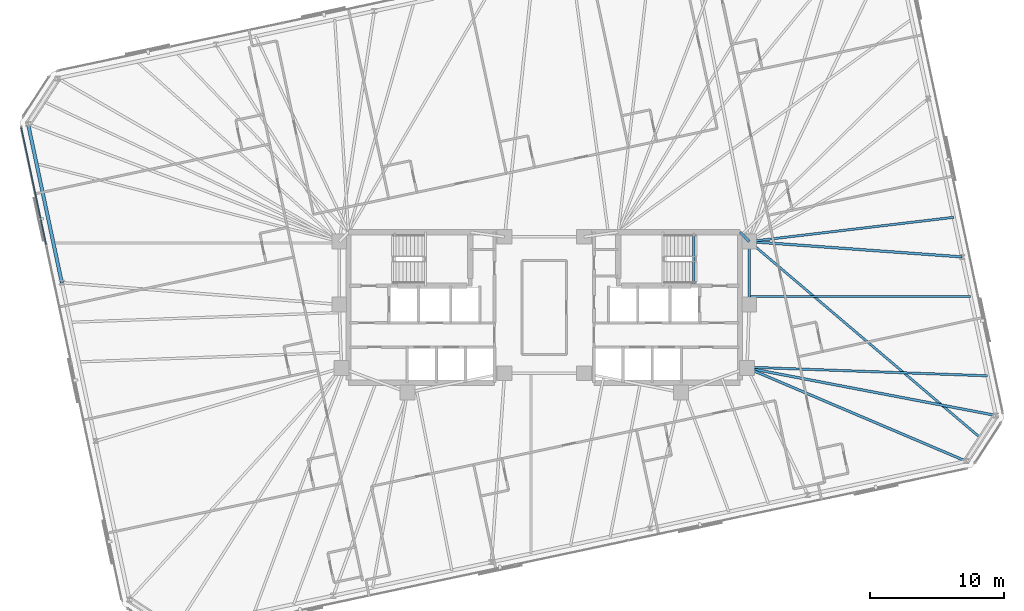
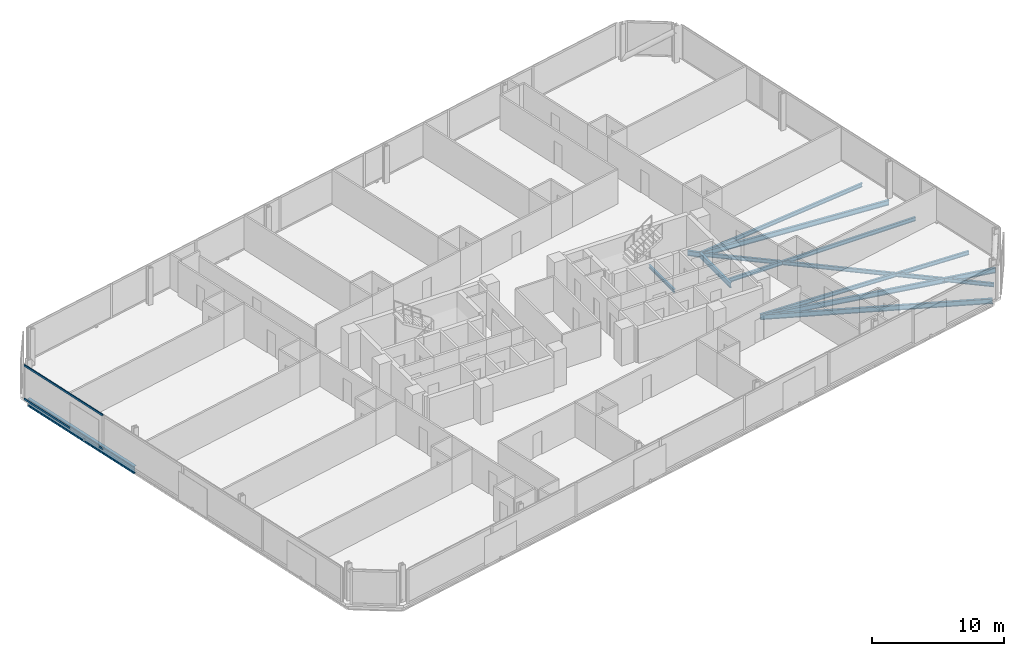
# One storey, part 8 of 19: 11 beams, 2 members, 1 element without a shape of its own.
"""IFC4 building model written with IfcOpenShell, lengths in metres."""

from ifc_helpers import new_model, si_unit, direction, frame, origin, origin_2d, place, context, subcontext, project, spatial, rectangle, i_section, extrude, material, material_profile, profile_set, type_object, element, aggregate, save


model = new_model("IFC4")

# Units and contexts
model_context = context("Model", 3, precision=1e-05, world=origin(), true_north=direction((0.0, 1.0)))
body_context = subcontext(model_context, "Body", "Model", "MODEL_VIEW")
ifc_project = project(units=[si_unit("LENGTHUNIT", "METRE"), si_unit("AREAUNIT", "SQUARE_METRE"), si_unit("VOLUMEUNIT", "CUBIC_METRE"), si_unit("PLANEANGLEUNIT", "RADIAN"), si_unit("MASSUNIT", "GRAM", prefix="KILO")], contexts=[model_context])

# Site, building, storey
site_placement = place(None, origin())
site = spatial("IfcSite", under=ifc_project, at=site_placement, CompositionType="ELEMENT")
building_placement = place(site_placement, origin())
building = spatial("IfcBuilding", under=site, at=building_placement, Name="Menara Jurai Vektor", CompositionType="ELEMENT")
storey_placement = place(building_placement, frame((0.0, 0.0, 182.0)))
storey = spatial("IfcBuildingStorey", under=building, at=storey_placement, Name="L47", CompositionType="ELEMENT", Elevation=182.0)

# Curtain wall, members
ifc_material_1 = material(Name="Anodised Pale Aluminium & Low-E Double Glazing", Category="aluminium")
curtain_wall_type = type_object("IfcCurtainWallType", Name="CW-BLK3", PredefinedType="NOTDEFINED", material=ifc_material_1)
curtain_wall_placement = place(storey_placement, origin())
curtain_wall = element("IfcCurtainWall", 1, at=curtain_wall_placement, inside=storey, type_object=curtain_wall_type, Name="Unitised Curtain Wall L47 F07", PredefinedType="NOTDEFINED")
ifc_material_2 = material(Name="Anodised Pale Aluminium Transom", Category="aluminium")
ifc_material_profile_1 = material_profile(ifc_material_2, rectangle(XDim=0.0849609375, YDim=0.175048828125, at=origin_2d()), Name="ALU TRN 85x175")
ifc_profile_set_1 = profile_set([ifc_material_profile_1], Name="Anodised Pale Aluminium Transom")
member_type = type_object("IfcMemberType", Name="CW-BLK3-TRN", PredefinedType="USERDEFINED", material=ifc_profile_set_1)
member_1_placement = place(storey_placement, frame((-38.896728515625, 13.378173828125, 0.04248046875), z_axis=(0.207899517354, -0.978150188204, 0.0), x_axis=(0.978150188204, 0.207899517354, 0.0)))
member_1 = element("IfcMember", 2, at=member_1_placement, type_object=member_type, Name="CW-03 transom 1.1", ObjectType="TRANSOM", PredefinedType="USERDEFINED", context=body_context, shape_type="SweptSolid", body=[
    extrude(rectangle(XDim=0.0849609375, YDim=0.175048828125, at=origin_2d()), origin(), (0.0, 0.0, 1.0), 8.882568359375),
])
member_2_placement = place(storey_placement, frame((-38.896728515625, 13.378173828125, 3.132568359375), z_axis=(0.207899517354, -0.978150188204, 0.0), x_axis=(0.978150188204, 0.207899517354, 0.0)))
member_2 = element("IfcMember", 3, at=member_2_placement, type_object=member_type, Name="CW-03 transom 1.2", ObjectType="TRANSOM", PredefinedType="USERDEFINED", context=body_context, shape_type="SweptSolid", body=[
    extrude(rectangle(XDim=0.0849609375, YDim=0.175048828125, at=origin_2d()), origin(), (0.0, 0.0, 1.0), 8.882568359375),
])
aggregate(curtain_wall, [member_1, member_2])

# Beams
ifc_material_3 = material(Name="Steel S355", Category="steel")
ifc_material_profile_2 = material_profile(ifc_material_3, i_section(OverallWidth=0.19091796875, OverallDepth=0.4599609375, WebThickness=0.010009765625, FlangeThickness=0.01611328125, FilletRadius=0.010009765625, at=origin_2d()), Name="UKB 457x191x82")
ifc_profile_set_2 = profile_set([ifc_material_profile_2], Name="Steel S355")
beam_type_1 = type_object("IfcBeamType", Name="STR-BM-457", PredefinedType="BEAM", material=ifc_profile_set_2)
beam_1_placement = place(storey_placement, frame((14.56005859375, 5.60009765625, -0.455078125), z_axis=(0.701871936926, -0.712303154672, 0.0), x_axis=(0.712303154672, 0.701871936926, 0.0)))
element("IfcBeam", 4, at=beam_1_placement, inside=storey, type_object=beam_type_1, Name="Core Ring Header Girder L47-CHE-N2", PredefinedType="BEAM", context=body_context, shape_type="SweptSolid", body=[
    extrude(i_section(OverallWidth=0.19091796875, OverallDepth=0.4599609375, WebThickness=0.010009765625, FlangeThickness=0.01611328125, FilletRadius=0.010009765625, at=origin_2d()), origin(), (0.0, 0.0, 1.0), 0.98291015625),
])
beam_2_placement = place(storey_placement, frame((15.25, 0.219970703125, -0.455078125), z_axis=(0.0, 1.0, 0.0), x_axis=(-1.0, 0.0, 0.0)))
element("IfcBeam", 5, at=beam_2_placement, inside=storey, type_object=beam_type_1, Name="Core Ring Header Girder L47-CHE-E1", PredefinedType="BEAM", context=body_context, shape_type="SweptSolid", body=[
    extrude(i_section(OverallWidth=0.19091796875, OverallDepth=0.4599609375, WebThickness=0.010009765625, FlangeThickness=0.01611328125, FilletRadius=0.010009765625, at=origin_2d()), origin(), (0.0, 0.0, 1.0), 4.679931640625),
])
beam_3_placement = place(storey_placement, frame((31.376220703125, -11.438720703125, -0.455078125), z_axis=(-0.920069342045, 0.391755543458, 0.0), x_axis=(-0.391755543458, -0.920069342045, 0.0)))
element("IfcBeam", 6, at=beam_3_placement, inside=storey, type_object=beam_type_1, Name="Radial Floor Girder L47-S6", PredefinedType="BEAM", context=body_context, shape_type="SweptSolid", body=[
    extrude(i_section(OverallWidth=0.19091796875, OverallDepth=0.4599609375, WebThickness=0.010009765625, FlangeThickness=0.01611328125, FilletRadius=0.010009765625, at=origin_2d()), origin(), (0.0, 0.0, 1.0), 17.7119140625),
])
beam_4_placement = place(storey_placement, frame((33.588623046875, -8.031982421875, -0.455078125), z_axis=(-0.982274660407, 0.187447303322, 0.0), x_axis=(-0.187447303322, -0.982274660407, 0.0)))
element("IfcBeam", 7, at=beam_4_placement, inside=storey, type_object=beam_type_1, Name="Radial Floor Girder L47-E1", PredefinedType="BEAM", context=body_context, shape_type="SweptSolid", body=[
    extrude(i_section(OverallWidth=0.19091796875, OverallDepth=0.4599609375, WebThickness=0.010009765625, FlangeThickness=0.01611328125, FilletRadius=0.010009765625, at=origin_2d()), origin(), (0.0, 0.0, 1.0), 18.842529296875),
])
beam_5_placement = place(storey_placement, frame((31.082763671875, 3.75634765625, -0.455078125), z_axis=(-0.997401783921, 0.072039443584, 0.0), x_axis=(-0.072039443584, -0.997401783921, 0.0)))
element("IfcBeam", 8, at=beam_5_placement, inside=storey, type_object=beam_type_1, Name="Radial Floor Girder L47-E2", PredefinedType="BEAM", context=body_context, shape_type="SweptSolid", body=[
    extrude(i_section(OverallWidth=0.19091796875, OverallDepth=0.4599609375, WebThickness=0.010009765625, FlangeThickness=0.01611328125, FilletRadius=0.010009765625, at=origin_2d()), origin(), (0.0, 0.0, 1.0), 15.8740234375),
])
ifc_material_profile_3 = material_profile(ifc_material_3, i_section(OverallWidth=0.172119140625, OverallDepth=0.35498046875, WebThickness=0.007080078125, FlangeThickness=0.011962890625, FilletRadius=0.010009765625, at=origin_2d()), Name="UKB 356x171x51")
ifc_profile_set_3 = profile_set([ifc_material_profile_3], Name="Steel S355")
beam_type_2 = type_object("IfcBeamType", Name="STR-JS-356", PredefinedType="JOIST", material=ifc_profile_set_3)
beam_6_placement = place(storey_placement, frame((32.482421875, -9.7353515625, -0.402587890625), z_axis=(-0.762207822165, 0.6473323998, 0.0), x_axis=(-0.6473323998, -0.762207822165, 0.0)))
element("IfcBeam", 9, at=beam_6_placement, inside=storey, type_object=beam_type_2, Name="Radial Secondary Floor Joist L47-JS10", PredefinedType="JOIST", context=body_context, shape_type="SweptSolid", body=[
    extrude(i_section(OverallWidth=0.172119140625, OverallDepth=0.35498046875, WebThickness=0.007080078125, FlangeThickness=0.011962890625, FilletRadius=0.010009765625, at=origin_2d()), origin(), (0.0, 0.0, 1.0), 22.608642578125),
])
beam_7_placement = place(storey_placement, frame((32.962158203125, -5.0849609375, -0.402587890625), z_axis=(-0.999351908775, 0.035996700238, 0.0), x_axis=(-0.035996700238, -0.999351908775, 0.0)))
element("IfcBeam", 10, at=beam_7_placement, inside=storey, type_object=beam_type_2, Name="Radial Secondary Floor Joist L47-JS11", PredefinedType="JOIST", context=body_context, shape_type="SweptSolid", body=[
    extrude(i_section(OverallWidth=0.172119140625, OverallDepth=0.35498046875, WebThickness=0.007080078125, FlangeThickness=0.011962890625, FilletRadius=0.010009765625, at=origin_2d()), origin(), (0.0, 0.0, 1.0), 17.8916015625),
])
beam_8_placement = place(storey_placement, frame((31.709228515625, 0.809326171875, -0.402587890625), z_axis=(-1.0, 0.0, 0.0), x_axis=(0.0, -1.0, 0.0)))
element("IfcBeam", 11, at=beam_8_placement, inside=storey, type_object=beam_type_2, Name="Radial Secondary Floor Joist L47-JS12", PredefinedType="JOIST", context=body_context, shape_type="SweptSolid", body=[
    extrude(i_section(OverallWidth=0.172119140625, OverallDepth=0.35498046875, WebThickness=0.007080078125, FlangeThickness=0.011962890625, FilletRadius=0.010009765625, at=origin_2d()), origin(), (0.0, 0.0, 1.0), 16.459228515625),
])
beam_9_placement = place(storey_placement, frame((30.456298828125, 6.70361328125, -0.402587890625), z_axis=(-0.993038492178, -0.11779029269, 0.0), x_axis=(0.11779029269, -0.993038492178, 0.0)))
element("IfcBeam", 12, at=beam_9_placement, inside=storey, type_object=beam_type_2, Name="Radial Secondary Floor Joist L47-JS13", PredefinedType="JOIST", context=body_context, shape_type="SweptSolid", body=[
    extrude(i_section(OverallWidth=0.172119140625, OverallDepth=0.35498046875, WebThickness=0.007080078125, FlangeThickness=0.011962890625, FilletRadius=0.010009765625, at=origin_2d()), origin(), (0.0, 0.0, 1.0), 15.31298828125),
])
ifc_material_profile_4 = material_profile(ifc_material_3, i_section(OverallWidth=0.1650390625, OverallDepth=0.302978515625, WebThickness=0.006103515625, FlangeThickness=0.010009765625, FilletRadius=0.009033203125, at=origin_2d()), Name="UKB 305x165x40")
ifc_profile_set_4 = profile_set([ifc_material_profile_4], Name="Steel S355")
beam_type_3 = type_object("IfcBeamType", Name="STR-LN-305", PredefinedType="LINTEL", material=ifc_profile_set_4)
beam_10_placement = place(storey_placement, frame((11.1201171875, 1.60009765625, -0.37646484375), z_axis=(0.0, 1.0, 0.0), x_axis=(-1.0, 0.0, 0.0)))
element("IfcBeam", 13, at=beam_10_placement, inside=storey, type_object=beam_type_3, Name="Stair Well Floor Trimmer ST2 L47", PredefinedType="LINTEL", context=body_context, shape_type="SweptSolid", body=[
    extrude(i_section(OverallWidth=0.1650390625, OverallDepth=0.302978515625, WebThickness=0.006103515625, FlangeThickness=0.010009765625, FilletRadius=0.009033203125, at=origin_2d()), origin(), (0.0, 0.0, 1.0), 3.81982421875),
])
ifc_material_4 = material(Name="Steel S460", Category="steel")
ifc_material_profile_5 = material_profile(ifc_material_4, i_section(OverallWidth=0.256103515625, OverallDepth=0.693115234375, WebThickness=0.013916015625, FlangeThickness=0.02392578125, FilletRadius=0.014892578125, at=origin_2d()), Name="UKB 686x254x170")
ifc_profile_set_5 = profile_set([ifc_material_profile_5], Name="Steel S460")
beam_type_4 = type_object("IfcBeamType", Name="STR-SP-686", PredefinedType="SPANDREL", material=ifc_profile_set_5)
beam_11_placement = place(storey_placement, frame((-38.388671875, 13.632080078125, -0.571533203125), z_axis=(0.207921262698, -0.978145566119, 0.0), x_axis=(0.978145566119, 0.207921262698, 0.0)))
element("IfcBeam", 14, at=beam_11_placement, inside=storey, type_object=beam_type_4, Name="Exoskeleton Spandrel Beam L47-17", PredefinedType="SPANDREL", context=body_context, shape_type="SweptSolid", body=[
    extrude(i_section(OverallWidth=0.256103515625, OverallDepth=0.693115234375, WebThickness=0.013916015625, FlangeThickness=0.02392578125, FilletRadius=0.014892578125, at=origin_2d()), origin(), (0.0, 0.0, 1.0), 12.052001953125),
])

save(model, "model.ifc")
